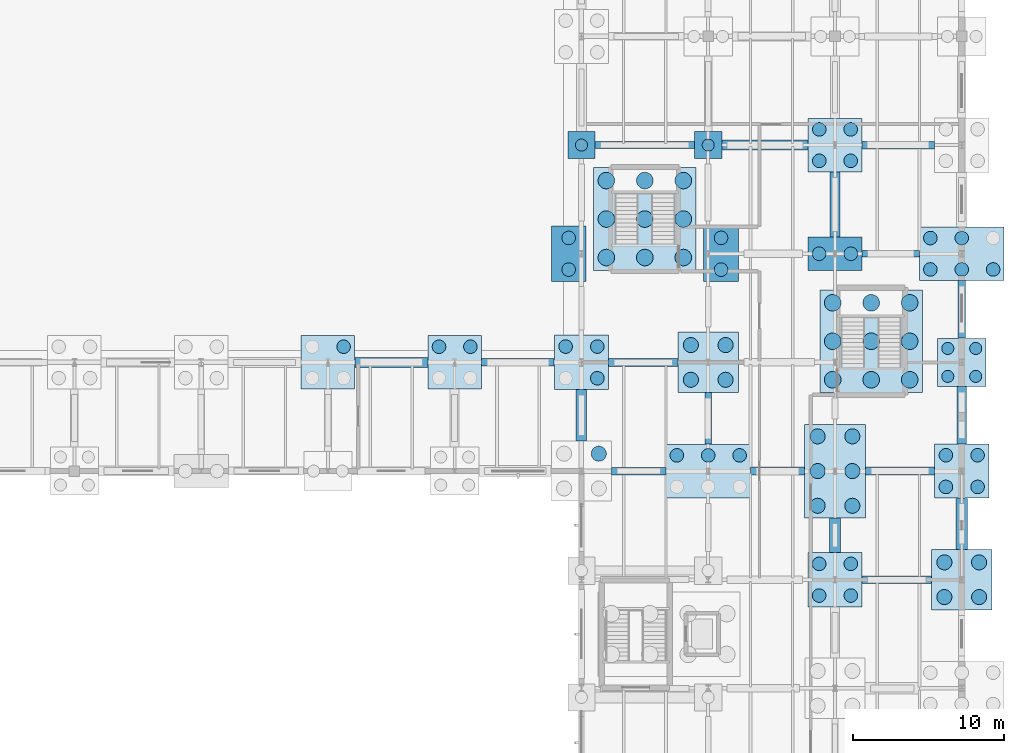
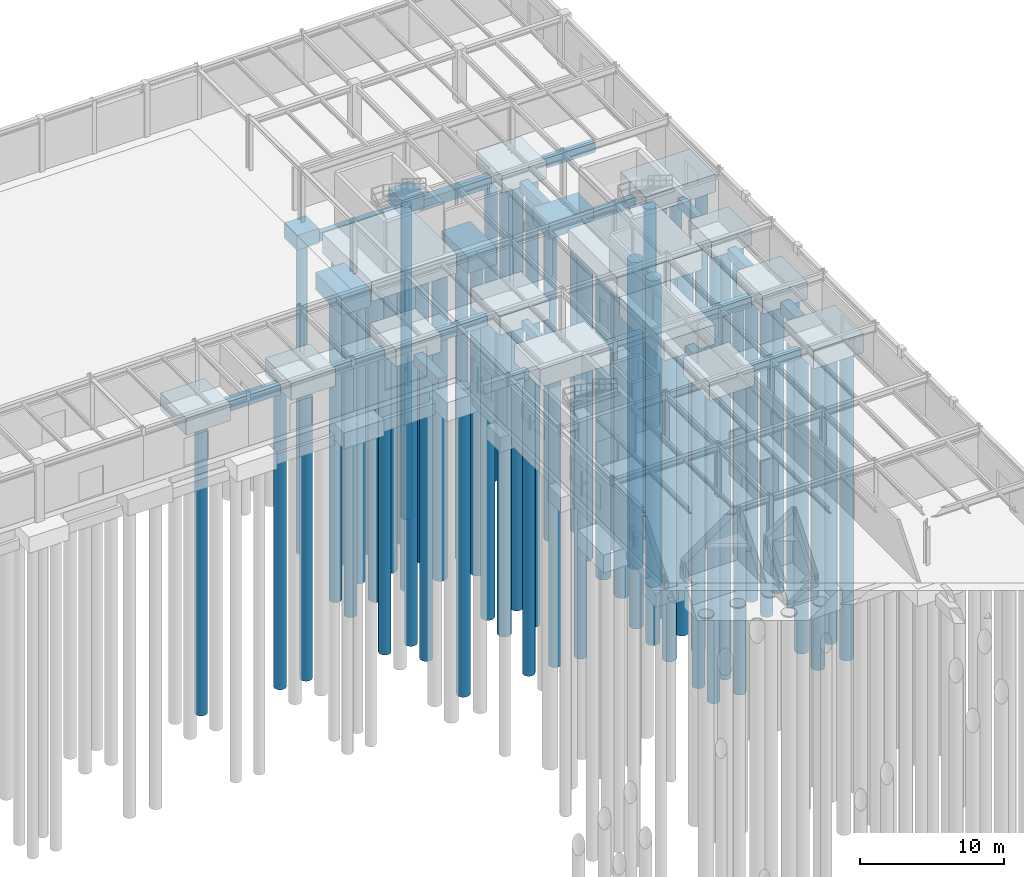
# One storey, part 8 of 93: 71 piles, 37 footings.
"""IFC4 building model written with IfcOpenShell, lengths in metres."""

from ifc_helpers import new_model, si_unit, derived_unit, direction, frame, origin, origin_2d, place, context, subcontext, project, spatial, rectangle, circle, extrude, material, material_profile, profile_set, type_object, element, save


model = new_model("IFC4")

# Units and contexts
model_context = context("Model", 3, precision=1e-05, world=origin(), true_north=direction((0.0, 1.0)))
body_context = subcontext(model_context, "Body", "Model", "MODEL_VIEW")
ifc_project = project(units=[si_unit("LENGTHUNIT", "METRE"), si_unit("AREAUNIT", "SQUARE_METRE"), si_unit("VOLUMEUNIT", "CUBIC_METRE"), si_unit("PLANEANGLEUNIT", "RADIAN"), si_unit("MASSUNIT", "GRAM", prefix="KILO"), derived_unit("THERMALTRANSMITTANCEUNIT", [(si_unit("MASSUNIT", "GRAM", prefix="KILO"), 1), (si_unit("TIMEUNIT", "SECOND"), -3), (si_unit("THERMODYNAMICTEMPERATUREUNIT", "KELVIN"), -1)])], contexts=[model_context])

# Site, building, storey
site_placement = place(None, origin())
site = spatial("IfcSite", under=ifc_project, at=site_placement, CompositionType="ELEMENT")
building_placement = place(site_placement, origin())
building = spatial("IfcBuilding", under=site, at=building_placement, Name="Kharveza Railside Sports Centre", CompositionType="ELEMENT")
storey_placement = place(building_placement, origin())
storey = spatial("IfcBuildingStorey", under=building, at=storey_placement, Name="L00", CompositionType="ELEMENT", Elevation=0.0)

# Footings
ifc_material = material(Name="Concrete C35/45", Category="concrete")
ifc_material_profile_1 = material_profile(ifc_material, rectangle(XDim=0.60009765625, YDim=0.800048828125, at=origin_2d()), Name="GB 600x800")
ifc_profile_set_1 = profile_set([ifc_material_profile_1], Name="Concrete C35/45")
footing_type_1 = type_object("IfcFootingType", Name="FT-GB01", PredefinedType="FOOTING_BEAM", material=ifc_profile_set_1)
footing_1_placement = place(storey_placement, frame((168.0, 73.802978515625, -1.800048828125), z_axis=(0.0, 1.0, 0.0), x_axis=(-1.0, 0.0, 0.0)))
element("IfcFooting", 1, at=footing_1_placement, inside=storey, type_object=footing_type_1, Name="GB-NS-151", PredefinedType="FOOTING_BEAM", context=body_context, shape_type="SweptSolid", body=[
    extrude(rectangle(XDim=0.60009765625, YDim=0.800048828125, at=origin_2d()), origin(), (0.0, 0.0, 1.0), 3.7939453125),
])
ifc_material_profile_2 = material_profile(ifc_material, rectangle(XDim=0.5, YDim=0.75, at=origin_2d()), Name="GB 500x750")
ifc_profile_set_2 = profile_set([ifc_material_profile_2], Name="Concrete C35/45")
footing_type_2 = type_object("IfcFootingType", Name="FT-GB02", PredefinedType="FOOTING_BEAM", material=ifc_profile_set_2)
footing_2_placement = place(storey_placement, frame((136.177978515625, 79.199951171875, -1.77490234375), z_axis=(1.0, 0.0, 0.0), x_axis=(0.0, 1.0, 0.0)))
element("IfcFooting", 2, at=footing_2_placement, inside=storey, type_object=footing_type_2, Name="GB-EW-092", PredefinedType="FOOTING_BEAM", context=body_context, shape_type="SweptSolid", body=[
    extrude(rectangle(XDim=0.5, YDim=0.75, at=origin_2d()), origin(), (0.0, 0.0, 1.0), 4.819091796875),
])
footing_3_placement = place(storey_placement, frame((144.802978515625, 72.0, -1.77490234375), z_axis=(1.0, 0.0, 0.0), x_axis=(0.0, 1.0, 0.0)))
element("IfcFooting", 3, at=footing_3_placement, inside=storey, type_object=footing_type_2, Name="GB-EW-102", PredefinedType="FOOTING_BEAM", context=body_context, shape_type="SweptSolid", body=[
    extrude(rectangle(XDim=0.5, YDim=0.75, at=origin_2d()), origin(), (0.0, 0.0, 1.0), 3.593994140625),
])
footing_4_placement = place(storey_placement, frame((161.403076171875, 64.800048828125, -1.77490234375), z_axis=(1.0, 0.0, 0.0), x_axis=(0.0, 1.0, 0.0)))
element("IfcFooting", 4, at=footing_4_placement, inside=storey, type_object=footing_type_2, Name="GB-EW-132", PredefinedType="FOOTING_BEAM", context=body_context, shape_type="SweptSolid", body=[
    extrude(rectangle(XDim=0.5, YDim=0.75, at=origin_2d()), origin(), (0.0, 0.0, 1.0), 4.593994140625),
])
footing_5_placement = place(storey_placement, frame((168.0, 80.802978515625, -1.77490234375), z_axis=(0.0, 1.0, 0.0), x_axis=(-1.0, 0.0, 0.0)))
element("IfcFooting", 5, at=footing_5_placement, inside=storey, type_object=footing_type_2, Name="GB-NS-152", PredefinedType="FOOTING_BEAM", context=body_context, shape_type="SweptSolid", body=[
    extrude(rectangle(XDim=0.5, YDim=0.75, at=origin_2d()), origin(), (0.0, 0.0, 1.0), 3.819091796875),
])
ifc_material_profile_3 = material_profile(ifc_material, rectangle(XDim=0.699951171875, YDim=0.89990234375, at=origin_2d()), Name="GB 700x900")
ifc_profile_set_3 = profile_set([ifc_material_profile_3], Name="Concrete C35/45")
footing_type_3 = type_object("IfcFootingType", Name="FT-GB03", PredefinedType="FOOTING_BEAM", material=ifc_profile_set_3)
footing_6_placement = place(storey_placement, frame((142.800048828125, 74.0029296875, -1.85009765625), z_axis=(0.0, 1.0, 0.0), x_axis=(-1.0, 0.0, 0.0)))
element("IfcFooting", 6, at=footing_6_placement, inside=storey, type_object=footing_type_3, Name="GB-NS-103", PredefinedType="FOOTING_BEAM", context=body_context, shape_type="SweptSolid", body=[
    extrude(rectangle(XDim=0.699951171875, YDim=0.89990234375, at=origin_2d()), origin(), (0.0, 0.0, 1.0), 3.39404296875),
])
footing_7_placement = place(storey_placement, frame((159.60009765625, 66.60302734375, -1.85009765625), z_axis=(0.0, 1.0, 0.0), x_axis=(-1.0, 0.0, 0.0)))
element("IfcFooting", 7, at=footing_7_placement, inside=storey, type_object=footing_type_3, Name="GB-NS-133", PredefinedType="FOOTING_BEAM", context=body_context, shape_type="SweptSolid", body=[
    extrude(rectangle(XDim=0.699951171875, YDim=0.89990234375, at=origin_2d()), origin(), (0.0, 0.0, 1.0), 2.2939453125),
])
ifc_material_profile_4 = material_profile(ifc_material, rectangle(XDim=0.550048828125, YDim=0.85009765625, at=origin_2d()), Name="GB 550x850")
ifc_profile_set_4 = profile_set([ifc_material_profile_4], Name="Concrete C35/45")
footing_type_4 = type_object("IfcFootingType", Name="FT-GB04", PredefinedType="FOOTING_BEAM", material=ifc_profile_set_4)
footing_8_placement = place(storey_placement, frame((144.60302734375, 79.199951171875, -1.824951171875), z_axis=(1.0, 0.0, 0.0), x_axis=(0.0, 1.0, 0.0)))
element("IfcFooting", 8, at=footing_8_placement, inside=storey, type_object=footing_type_4, Name="GB-EW-104", PredefinedType="FOOTING_BEAM", context=body_context, shape_type="SweptSolid", body=[
    extrude(rectangle(XDim=0.550048828125, YDim=0.85009765625, at=origin_2d()), origin(), (0.0, 0.0, 1.0), 4.593994140625),
])
footing_9_placement = place(storey_placement, frame((154.0029296875, 72.0, -1.824951171875), z_axis=(1.0, 0.0, 0.0), x_axis=(0.0, 1.0, 0.0)))
element("IfcFooting", 9, at=footing_9_placement, inside=storey, type_object=footing_type_4, Name="GB-EW-114", PredefinedType="FOOTING_BEAM", context=body_context, shape_type="SweptSolid", body=[
    extrude(rectangle(XDim=0.550048828125, YDim=0.85009765625, at=origin_2d()), origin(), (0.0, 0.0, 1.0), 3.569091796875),
])
footing_10_placement = place(storey_placement, frame((161.6279296875, 72.0, -1.824951171875), z_axis=(1.0, 0.0, 0.0), x_axis=(0.0, 1.0, 0.0)))
element("IfcFooting", 10, at=footing_10_placement, inside=storey, type_object=footing_type_4, Name="GB-EW-134", PredefinedType="FOOTING_BEAM", context=body_context, shape_type="SweptSolid", body=[
    extrude(rectangle(XDim=0.550048828125, YDim=0.85009765625, at=origin_2d()), origin(), (0.0, 0.0, 1.0), 4.569091796875),
])
ifc_material_profile_5 = material_profile(ifc_material, rectangle(XDim=0.449951171875, YDim=0.699951171875, at=origin_2d()), Name="GB 450x700")
ifc_profile_set_5 = profile_set([ifc_material_profile_5], Name="Concrete C35/45")
footing_type_5 = type_object("IfcFootingType", Name="FT-GB05", PredefinedType="FOOTING_BEAM", material=ifc_profile_set_5)
footing_11_placement = place(storey_placement, frame((143.702880859375, 93.60009765625, -1.75), z_axis=(1.0, 0.0, 0.0), x_axis=(0.0, 1.0, 0.0)))
element("IfcFooting", 11, at=footing_11_placement, inside=storey, type_object=footing_type_5, Name="GB-EW-105", PredefinedType="FOOTING_BEAM", context=body_context, shape_type="SweptSolid", body=[
    extrude(rectangle(XDim=0.449951171875, YDim=0.699951171875, at=origin_2d()), origin(), (0.0, 0.0, 1.0), 6.59423828125),
])
footing_12_placement = place(storey_placement, frame((151.199951171875, 73.778076171875, -1.75), z_axis=(0.0, 1.0, 0.0), x_axis=(-1.0, 0.0, 0.0)))
element("IfcFooting", 12, at=footing_12_placement, inside=storey, type_object=footing_type_5, Name="GB-NS-115", PredefinedType="FOOTING_BEAM", context=body_context, shape_type="SweptSolid", body=[
    extrude(rectangle(XDim=0.449951171875, YDim=0.699951171875, at=origin_2d()), origin(), (0.0, 0.0, 1.0), 3.4189453125),
])
footing_13_placement = place(storey_placement, frame((161.403076171875, 86.39990234375, -1.75), z_axis=(1.0, 0.0, 0.0), x_axis=(0.0, 1.0, 0.0)))
element("IfcFooting", 13, at=footing_13_placement, inside=storey, type_object=footing_type_5, Name="GB-EW-135", PredefinedType="FOOTING_BEAM", context=body_context, shape_type="SweptSolid", body=[
    extrude(rectangle(XDim=0.449951171875, YDim=0.699951171875, at=origin_2d()), origin(), (0.0, 0.0, 1.0), 3.7939453125),
])
ifc_material_profile_6 = material_profile(ifc_material, rectangle(XDim=0.64990234375, YDim=0.85009765625, at=origin_2d()), Name="GB 650x850")
ifc_profile_set_6 = profile_set([ifc_material_profile_6], Name="Concrete C35/45")
footing_type_6 = type_object("IfcFootingType", Name="FT-GB06", PredefinedType="FOOTING_BEAM", material=ifc_profile_set_6)
footing_14_placement = place(storey_placement, frame((127.778076171875, 79.199951171875, -1.824951171875), z_axis=(1.0, 0.0, 0.0), x_axis=(0.0, 1.0, 0.0)))
element("IfcFooting", 14, at=footing_14_placement, inside=storey, type_object=footing_type_6, Name="GB-EW-086", PredefinedType="FOOTING_BEAM", context=body_context, shape_type="SweptSolid", body=[
    extrude(rectangle(XDim=0.64990234375, YDim=0.85009765625, at=origin_2d()), origin(), (0.0, 0.0, 1.0), 4.843994140625),
])
footing_15_placement = place(storey_placement, frame((152.10302734375, 93.60009765625, -1.824951171875), z_axis=(1.0, 0.0, 0.0), x_axis=(0.0, 1.0, 0.0)))
element("IfcFooting", 15, at=footing_15_placement, inside=storey, type_object=footing_type_6, Name="GB-EW-116", PredefinedType="FOOTING_BEAM", context=body_context, shape_type="SweptSolid", body=[
    extrude(rectangle(XDim=0.64990234375, YDim=0.85009765625, at=origin_2d()), origin(), (0.0, 0.0, 1.0), 5.718994140625),
])
footing_16_placement = place(storey_placement, frame((159.60009765625, 87.5029296875, -1.824951171875), z_axis=(0.0, 1.0, 0.0), x_axis=(-1.0, 0.0, 0.0)))
element("IfcFooting", 16, at=footing_16_placement, inside=storey, type_object=footing_type_6, Name="GB-NS-136", PredefinedType="FOOTING_BEAM", context=body_context, shape_type="SweptSolid", body=[
    extrude(rectangle(XDim=0.64990234375, YDim=0.85009765625, at=origin_2d()), origin(), (0.0, 0.0, 1.0), 4.319091796875),
])
ifc_material_profile_7 = material_profile(ifc_material, rectangle(XDim=0.5, YDim=0.85009765625, at=origin_2d()), Name="GB 500x850")
ifc_profile_set_7 = profile_set([ifc_material_profile_7], Name="Concrete C35/45")
footing_type_7 = type_object("IfcFootingType", Name="FT-GB07", PredefinedType="FOOTING_BEAM", material=ifc_profile_set_7)
footing_17_placement = place(storey_placement, frame((161.3779296875, 93.60009765625, -1.824951171875), z_axis=(1.0, 0.0, 0.0), x_axis=(0.0, 1.0, 0.0)))
element("IfcFooting", 17, at=footing_17_placement, inside=storey, type_object=footing_type_7, Name="GB-EW-137", PredefinedType="FOOTING_BEAM", context=body_context, shape_type="SweptSolid", body=[
    extrude(rectangle(XDim=0.5, YDim=0.85009765625, at=origin_2d()), origin(), (0.0, 0.0, 1.0), 4.819091796875),
])
ifc_material_profile_8 = material_profile(ifc_material, rectangle(XDim=0.75, YDim=1.0, at=origin_2d()), Name="GB 750x1000")
ifc_profile_set_8 = profile_set([ifc_material_profile_8], Name="Concrete C35/45")
footing_type_8 = type_object("IfcFootingType", Name="FT-GB10", PredefinedType="FOOTING_BEAM", material=ifc_profile_set_8)
footing_18_placement = place(storey_placement, frame((168.0, 66.802978515625, -1.89990234375), z_axis=(0.0, 1.0, 0.0), x_axis=(-1.0, 0.0, 0.0)))
element("IfcFooting", 18, at=footing_18_placement, inside=storey, type_object=footing_type_8, Name="GB-NS-150", PredefinedType="FOOTING_BEAM", context=body_context, shape_type="SweptSolid", body=[
    extrude(rectangle(XDim=0.75, YDim=1.0, at=origin_2d()), origin(), (0.0, 0.0, 1.0), 3.39404296875),
])
footing_type_9 = type_object("IfcFootingType", Name="FT-PC02", PredefinedType="PILE_CAP", material=ifc_material)
footing_19_placement = place(storey_placement, frame((159.60009765625, 86.39990234375, -1.820068359375), z_axis=(0.0, 0.0, 1.0), x_axis=(1.0, 0.0, 0.0)))
element("IfcFooting", 19, at=footing_19_placement, inside=storey, type_object=footing_type_9, Name="FCAP-GRD-128", PredefinedType="PILE_CAP", context=body_context, shape_type="SweptSolid", body=[
    extrude(rectangle(XDim=3.60009765625, YDim=2.199951171875, at=origin_2d()), origin(), (0.0, 0.0, 1.0), 1.39990234375),
])
footing_type_10 = type_object("IfcFootingType", Name="FT-PC03", PredefinedType="PILE_CAP", material=ifc_material)
for number, where, z_axis, x_axis, name in (
    (20, (141.949951171875, 86.39990234375, -1.8701171875), (0.0, 0.0, 1.0), (1.0, 0.0, 0.0), "FCAP-GRD-098"),
    (21, (152.050048828125, 86.39990234375, -1.8701171875), (0.0, 0.0, 1.0), (1.0, 0.0, 0.0), "FCAP-GRD-113"),
):
    element("IfcFooting", number, at=place(storey_placement, frame(where, z_axis=z_axis, x_axis=x_axis)), inside=storey, type_object=footing_type_10, Name=name, PredefinedType="PILE_CAP", context=body_context, shape_type="SweptSolid", body=[
        extrude(rectangle(XDim=2.300048828125, YDim=3.64990234375, at=origin_2d()), origin(), (0.0, 0.0, 1.0), 1.449951171875),
    ])
footing_type_11 = type_object("IfcFootingType", Name="FT-PC04", PredefinedType="PILE_CAP", material=ifc_material)
for number, where, z_axis, x_axis, name in (
    (22, (142.800048828125, 79.199951171875, -1.919921875), (0.0, 0.0, 1.0), (1.0, 0.0, 0.0), "FCAP-GRD-097"),
    (23, (159.60009765625, 64.800048828125, -1.919921875), (0.0, 0.0, 1.0), (1.0, 0.0, 0.0), "FCAP-GRD-125"),
    (24, (168.0, 72.0, -1.919921875), (0.0, 0.0, 1.0), (1.0, 0.0, 0.0), "FCAP-GRD-141"),
):
    element("IfcFooting", number, at=place(storey_placement, frame(where, z_axis=z_axis, x_axis=x_axis)), inside=storey, type_object=footing_type_11, Name=name, PredefinedType="PILE_CAP", context=body_context, shape_type="SweptSolid", body=[
        extrude(rectangle(XDim=3.60009765625, YDim=3.60009765625, at=origin_2d()), origin(), (0.0, 0.0, 1.0), 1.5),
    ])
footing_type_12 = type_object("IfcFootingType", Name="FT-PC05", PredefinedType="PILE_CAP", material=ifc_material)
for number, where, z_axis, x_axis, name in (
    (25, (151.199951171875, 79.199951171875, -2.02001953125), (0.0, 0.0, 1.0), (1.0, 0.0, 0.0), "FCAP-GRD-112"),
    (26, (168.0, 64.800048828125, -2.02001953125), (0.0, 0.0, 1.0), (1.0, 0.0, 0.0), "FCAP-GRD-140"),
):
    element("IfcFooting", number, at=place(storey_placement, frame(where, z_axis=z_axis, x_axis=x_axis)), inside=storey, type_object=footing_type_12, Name=name, PredefinedType="PILE_CAP", context=body_context, shape_type="SweptSolid", body=[
        extrude(rectangle(XDim=4.0, YDim=4.0, at=origin_2d()), origin(), (0.0, 0.0, 1.0), 1.60009765625),
    ])
footing_type_13 = type_object("IfcFootingType", Name="FT-PC07", PredefinedType="PILE_CAP", material=ifc_material)
footing_20_placement = place(storey_placement, frame((159.60009765625, 72.0, -2.070068359375), z_axis=(0.0, 0.0, 1.0), x_axis=(1.0, 0.0, 0.0)))
element("IfcFooting", 27, at=footing_20_placement, inside=storey, type_object=footing_type_13, Name="FCAP-GRD-126", PredefinedType="PILE_CAP", context=body_context, shape_type="SweptSolid", body=[
    extrude(rectangle(XDim=4.050048828125, YDim=6.199951171875, at=origin_2d()), origin(), (0.0, 0.0, 1.0), 1.64990234375),
])
footing_type_14 = type_object("IfcFootingType", Name="FT-PC08", PredefinedType="PILE_CAP", material=ifc_material)
for number, where, z_axis, x_axis, name in (
    (28, (162.0, 80.60009765625, -2.1201171875), (0.0, 0.0, 1.0), (1.0, 0.0, 0.0), "FCAP-CORE-04"),
    (29, (147.0, 88.699951171875, -2.1201171875), (0.0, 0.0, 1.0), (1.0, 0.0, 0.0), "FCAP-CORE-13"),
):
    element("IfcFooting", number, at=place(storey_placement, frame(where, z_axis=z_axis, x_axis=x_axis)), inside=storey, type_object=footing_type_14, Name=name, PredefinedType="PILE_CAP", context=body_context, shape_type="SweptSolid", body=[
        extrude(rectangle(XDim=6.800048828125, YDim=6.800048828125, at=origin_2d()), origin(), (0.0, 0.0, 1.0), 1.699951171875),
    ])
footing_type_15 = type_object("IfcFootingType", Name="FT-PC10", PredefinedType="PILE_CAP", material=ifc_material)
footing_21_placement = place(storey_placement, frame((168.0, 79.199951171875, -1.77001953125), z_axis=(0.0, 0.0, 1.0), x_axis=(1.0, 0.0, 0.0)))
element("IfcFooting", 30, at=footing_21_placement, inside=storey, type_object=footing_type_15, Name="FCAP-GRD-142", PredefinedType="PILE_CAP", context=body_context, shape_type="SweptSolid", body=[
    extrude(rectangle(XDim=3.199951171875, YDim=3.199951171875, at=origin_2d()), origin(), (0.0, 0.0, 1.0), 1.35009765625),
])
footing_type_16 = type_object("IfcFootingType", Name="FT-PC11", PredefinedType="PILE_CAP", material=ifc_material)
for number, where, z_axis, x_axis, name in (
    (31, (126.0, 79.199951171875, -1.8701171875), (0.0, 0.0, 1.0), (1.0, 0.0, 0.0), "FCAP-GRD-077"),
    (32, (134.39990234375, 79.199951171875, -1.8701171875), (0.0, 0.0, 1.0), (1.0, 0.0, 0.0), "FCAP-GRD-085"),
    (33, (159.60009765625, 93.60009765625, -1.8701171875), (0.0, 0.0, 1.0), (1.0, 0.0, 0.0), "FCAP-GRD-129"),
):
    element("IfcFooting", number, at=place(storey_placement, frame(where, z_axis=z_axis, x_axis=x_axis)), inside=storey, type_object=footing_type_16, Name=name, PredefinedType="PILE_CAP", context=body_context, shape_type="SweptSolid", body=[
        extrude(rectangle(XDim=3.550048828125, YDim=3.550048828125, at=origin_2d()), origin(), (0.0, 0.0, 1.0), 1.449951171875),
    ])
footing_type_17 = type_object("IfcFootingType", Name="FT-PC12", PredefinedType="PILE_CAP", material=ifc_material)
for number, where, z_axis, x_axis, name in (
    (34, (151.199951171875, 72.0, -1.919921875), (0.0, 0.0, 1.0), (1.0, 0.0, 0.0), "FCAP-GRD-111"),
    (35, (168.0, 86.39990234375, -1.919921875), (0.0, 0.0, 1.0), (1.0, 0.0, 0.0), "FCAP-GRD-143"),
):
    element("IfcFooting", number, at=place(storey_placement, frame(where, z_axis=z_axis, x_axis=x_axis)), inside=storey, type_object=footing_type_17, Name=name, PredefinedType="PILE_CAP", context=body_context, shape_type="SweptSolid", body=[
        extrude(rectangle(XDim=5.60009765625, YDim=3.550048828125, at=origin_2d()), origin(), (0.0, 0.0, 1.0), 1.5),
    ])
footing_type_18 = type_object("IfcFootingType", Name="FT-PC13", PredefinedType="PILE_CAP", material=ifc_material)
for number, where, z_axis, x_axis, name in (
    (36, (142.800048828125, 93.60009765625, -1.669921875), (0.0, 0.0, 1.0), (1.0, 0.0, 0.0), "FCAP-GRD-099"),
    (37, (151.199951171875, 93.60009765625, -1.669921875), (0.0, 0.0, 1.0), (1.0, 0.0, 0.0), "FCAP-GRD-114"),
):
    element("IfcFooting", number, at=place(storey_placement, frame(where, z_axis=z_axis, x_axis=x_axis)), inside=storey, type_object=footing_type_18, Name=name, PredefinedType="PILE_CAP", context=body_context, shape_type="SweptSolid", body=[
        extrude(rectangle(XDim=1.800048828125, YDim=1.800048828125, at=origin_2d()), origin(), (0.0, 0.0, 1.0), 1.25),
    ])

# Piles
ifc_material_profile_9 = material_profile(ifc_material, circle(Radius=0.5, at=origin_2d()), Name="PILE D1000")
ifc_profile_set_9 = profile_set([ifc_material_profile_9], Name="Concrete C35/45")
pile_type_1 = type_object("IfcPileType", Name="PL-B1000", PredefinedType="BORED", material=ifc_profile_set_9)
for number, where, z_axis, x_axis, name in (
    (38, (143.949951171875, 73.14990234375, -1.919921875), (0.0, 0.0, -1.0), (1.0, 0.0, 0.0), "FCAP-GRD-096-P02-PL4"),
    (39, (150.050048828125, 78.050048828125, -1.919921875), (0.0, 0.0, -1.0), (1.0, 0.0, 0.0), "FCAP-GRD-112-P02-PL1"),
    (40, (152.35009765625, 78.050048828125, -1.919921875), (0.0, 0.0, -1.0), (1.0, 0.0, 0.0), "FCAP-GRD-112-P02-PL2"),
    (41, (150.050048828125, 80.35009765625, -1.919921875), (0.0, 0.0, -1.0), (1.0, 0.0, 0.0), "FCAP-GRD-112-P02-PL3"),
    (42, (152.35009765625, 80.35009765625, -1.919921875), (0.0, 0.0, -1.0), (1.0, 0.0, 0.0), "FCAP-GRD-112-P02-PL4"),
):
    element("IfcPile", number, at=place(storey_placement, frame(where, z_axis=z_axis, x_axis=x_axis)), inside=storey, type_object=pile_type_1, Name=name, PredefinedType="BORED", context=body_context, shape_type="SweptSolid", body=[
        extrude(circle(Radius=0.5, at=origin_2d()), origin(), (0.0, 0.0, 1.0), 26.080078125),
    ])
for number, where, z_axis, x_axis, name in (
    (43, (158.449951171875, 69.699951171875, -1.969970703125), (0.0, 0.0, -1.0), (1.0, 0.0, 0.0), "FCAP-GRD-126-P02-PL1"),
    (44, (160.75, 69.699951171875, -1.969970703125), (0.0, 0.0, -1.0), (1.0, 0.0, 0.0), "FCAP-GRD-126-P02-PL2"),
    (45, (158.449951171875, 72.0, -1.969970703125), (0.0, 0.0, -1.0), (1.0, 0.0, 0.0), "FCAP-GRD-126-P02-PL3"),
    (46, (160.75, 72.0, -1.969970703125), (0.0, 0.0, -1.0), (1.0, 0.0, 0.0), "FCAP-GRD-126-P02-PL4"),
    (47, (158.449951171875, 74.300048828125, -1.969970703125), (0.0, 0.0, -1.0), (1.0, 0.0, 0.0), "FCAP-GRD-126-P02-PL5"),
    (48, (160.75, 74.300048828125, -1.969970703125), (0.0, 0.0, -1.0), (1.0, 0.0, 0.0), "FCAP-GRD-126-P02-PL6"),
):
    element("IfcPile", number, at=place(storey_placement, frame(where, z_axis=z_axis, x_axis=x_axis)), inside=storey, type_object=pile_type_1, Name=name, PredefinedType="BORED", context=body_context, shape_type="SweptSolid", body=[
        extrude(circle(Radius=0.5, at=origin_2d()), origin(), (0.0, 0.0, 1.0), 26.030029296875),
    ])
for number, where, z_axis, x_axis, name in (
    (49, (166.85009765625, 63.64990234375, -1.919921875), (0.0, 0.0, -1.0), (1.0, 0.0, 0.0), "FCAP-GRD-140-P02-PL1"),
    (50, (169.14990234375, 63.64990234375, -1.919921875), (0.0, 0.0, -1.0), (1.0, 0.0, 0.0), "FCAP-GRD-140-P02-PL2"),
    (51, (166.85009765625, 65.949951171875, -1.919921875), (0.0, 0.0, -1.0), (1.0, 0.0, 0.0), "FCAP-GRD-140-P02-PL3"),
    (52, (169.14990234375, 65.949951171875, -1.919921875), (0.0, 0.0, -1.0), (1.0, 0.0, 0.0), "FCAP-GRD-140-P02-PL4"),
):
    element("IfcPile", number, at=place(storey_placement, frame(where, z_axis=z_axis, x_axis=x_axis)), inside=storey, type_object=pile_type_1, Name=name, PredefinedType="BORED", context=body_context, shape_type="SweptSolid", body=[
        extrude(circle(Radius=0.5, at=origin_2d()), origin(), (0.0, 0.0, 1.0), 26.080078125),
    ])
ifc_material_profile_10 = material_profile(ifc_material, circle(Radius=0.550048828125, at=origin_2d()), Name="PILE D1100")
ifc_profile_set_10 = profile_set([ifc_material_profile_10], Name="Concrete C35/45")
pile_type_2 = type_object("IfcPileType", Name="PL-B1100", PredefinedType="BORED", material=ifc_profile_set_10)
for number, where, z_axis, x_axis, name in (
    (53, (159.449951171875, 78.050048828125, -2.02001953125), (0.0, 0.0, -1.0), (1.0, 0.0, 0.0), "FCAP-CORE-04-P03-PL1"),
    (54, (162.0, 78.050048828125, -2.02001953125), (0.0, 0.0, -1.0), (1.0, 0.0, 0.0), "FCAP-CORE-04-P03-PL2"),
    (55, (164.550048828125, 78.050048828125, -2.02001953125), (0.0, 0.0, -1.0), (1.0, 0.0, 0.0), "FCAP-CORE-04-P03-PL3"),
    (56, (159.449951171875, 80.60009765625, -2.02001953125), (0.0, 0.0, -1.0), (1.0, 0.0, 0.0), "FCAP-CORE-04-P03-PL4"),
    (57, (162.0, 80.60009765625, -2.02001953125), (0.0, 0.0, -1.0), (1.0, 0.0, 0.0), "FCAP-CORE-04-P03-PL5"),
    (58, (164.550048828125, 80.60009765625, -2.02001953125), (0.0, 0.0, -1.0), (1.0, 0.0, 0.0), "FCAP-CORE-04-P03-PL6"),
    (59, (159.449951171875, 83.14990234375, -2.02001953125), (0.0, 0.0, -1.0), (1.0, 0.0, 0.0), "FCAP-CORE-04-P03-PL7"),
    (60, (162.0, 83.14990234375, -2.02001953125), (0.0, 0.0, -1.0), (1.0, 0.0, 0.0), "FCAP-CORE-04-P03-PL8"),
    (61, (164.550048828125, 83.14990234375, -2.02001953125), (0.0, 0.0, -1.0), (1.0, 0.0, 0.0), "FCAP-CORE-04-P03-PL9"),
    (62, (144.449951171875, 86.14990234375, -2.02001953125), (0.0, 0.0, -1.0), (1.0, 0.0, 0.0), "FCAP-CORE-13-P03-PL1"),
    (63, (147.0, 86.14990234375, -2.02001953125), (0.0, 0.0, -1.0), (1.0, 0.0, 0.0), "FCAP-CORE-13-P03-PL2"),
    (64, (149.550048828125, 86.14990234375, -2.02001953125), (0.0, 0.0, -1.0), (1.0, 0.0, 0.0), "FCAP-CORE-13-P03-PL3"),
    (65, (144.449951171875, 88.699951171875, -2.02001953125), (0.0, 0.0, -1.0), (1.0, 0.0, 0.0), "FCAP-CORE-13-P03-PL4"),
    (66, (147.0, 88.699951171875, -2.02001953125), (0.0, 0.0, -1.0), (1.0, 0.0, 0.0), "FCAP-CORE-13-P03-PL5"),
    (67, (149.550048828125, 88.699951171875, -2.02001953125), (0.0, 0.0, -1.0), (1.0, 0.0, 0.0), "FCAP-CORE-13-P03-PL6"),
    (68, (144.449951171875, 91.25, -2.02001953125), (0.0, 0.0, -1.0), (1.0, 0.0, 0.0), "FCAP-CORE-13-P03-PL7"),
    (69, (147.0, 91.25, -2.02001953125), (0.0, 0.0, -1.0), (1.0, 0.0, 0.0), "FCAP-CORE-13-P03-PL8"),
    (70, (149.550048828125, 91.25, -2.02001953125), (0.0, 0.0, -1.0), (1.0, 0.0, 0.0), "FCAP-CORE-13-P03-PL9"),
):
    element("IfcPile", number, at=place(storey_placement, frame(where, z_axis=z_axis, x_axis=x_axis)), inside=storey, type_object=pile_type_2, Name=name, PredefinedType="BORED", context=body_context, shape_type="SweptSolid", body=[
        extrude(circle(Radius=0.550048828125, at=origin_2d()), origin(), (0.0, 0.0, 1.0), 25.97998046875),
    ])
ifc_material_profile_11 = material_profile(ifc_material, circle(Radius=0.39990234375, at=origin_2d()), Name="PILE D800")
ifc_profile_set_11 = profile_set([ifc_material_profile_11], Name="Concrete C35/45")
pile_type_3 = type_object("IfcPileType", Name="PL-B800", PredefinedType="BORED", material=ifc_profile_set_11)
for number, where, z_axis, x_axis, name in (
    (71, (142.800048828125, 93.60009765625, -1.570068359375), (0.0, 0.0, -1.0), (1.0, 0.0, 0.0), "FCAP-GRD-099-P04-PL1"),
    (72, (151.199951171875, 93.60009765625, -1.570068359375), (0.0, 0.0, -1.0), (1.0, 0.0, 0.0), "FCAP-GRD-114-P04-PL1"),
):
    element("IfcPile", number, at=place(storey_placement, frame(where, z_axis=z_axis, x_axis=x_axis)), inside=storey, type_object=pile_type_3, Name=name, PredefinedType="BORED", context=body_context, shape_type="SweptSolid", body=[
        extrude(circle(Radius=0.39990234375, at=origin_2d()), origin(), (0.0, 0.0, 1.0), 26.429931640625),
    ])
for number, where, z_axis, x_axis, name in (
    (73, (167.074951171875, 78.27490234375, -1.669921875), (0.0, 0.0, -1.0), (1.0, 0.0, 0.0), "FCAP-GRD-142-P04-PL1"),
    (74, (168.925048828125, 78.27490234375, -1.669921875), (0.0, 0.0, -1.0), (1.0, 0.0, 0.0), "FCAP-GRD-142-P04-PL2"),
    (75, (167.074951171875, 80.125, -1.669921875), (0.0, 0.0, -1.0), (1.0, 0.0, 0.0), "FCAP-GRD-142-P04-PL3"),
    (76, (168.925048828125, 80.125, -1.669921875), (0.0, 0.0, -1.0), (1.0, 0.0, 0.0), "FCAP-GRD-142-P04-PL4"),
):
    element("IfcPile", number, at=place(storey_placement, frame(where, z_axis=z_axis, x_axis=x_axis)), inside=storey, type_object=pile_type_3, Name=name, PredefinedType="BORED", context=body_context, shape_type="SweptSolid", body=[
        extrude(circle(Radius=0.39990234375, at=origin_2d()), origin(), (0.0, 0.0, 1.0), 26.330078125),
    ])
ifc_material_profile_12 = material_profile(ifc_material, circle(Radius=0.449951171875, at=origin_2d()), Name="PILE D900")
ifc_profile_set_12 = profile_set([ifc_material_profile_12], Name="Concrete C35/45")
pile_type_4 = type_object("IfcPileType", Name="PL-B900", PredefinedType="BORED", material=ifc_profile_set_12)
for number, where, z_axis, x_axis, name in (
    (77, (127.0400390625, 80.239990234375, -1.77001953125), (0.0, 0.0, -1.0), (1.0, 0.0, 0.0), "FCAP-GRD-077-P01-PL4"),
    (78, (133.360107421875, 80.239990234375, -1.77001953125), (0.0, 0.0, -1.0), (1.0, 0.0, 0.0), "FCAP-GRD-085-P01-PL3"),
    (79, (135.43994140625, 80.239990234375, -1.77001953125), (0.0, 0.0, -1.0), (1.0, 0.0, 0.0), "FCAP-GRD-085-P01-PL4"),
):
    element("IfcPile", number, at=place(storey_placement, frame(where, z_axis=z_axis, x_axis=x_axis)), inside=storey, type_object=pile_type_4, Name=name, PredefinedType="BORED", context=body_context, shape_type="SweptSolid", body=[
        extrude(circle(Radius=0.449951171875, at=origin_2d()), origin(), (0.0, 0.0, 1.0), 26.22998046875),
    ])
for number, where, z_axis, x_axis, name in (
    (80, (143.85009765625, 78.14990234375, -1.820068359375), (0.0, 0.0, -1.0), (1.0, 0.0, 0.0), "FCAP-GRD-097-P01-PL2"),
    (81, (141.75, 80.25, -1.820068359375), (0.0, 0.0, -1.0), (1.0, 0.0, 0.0), "FCAP-GRD-097-P01-PL3"),
    (82, (143.85009765625, 80.25, -1.820068359375), (0.0, 0.0, -1.0), (1.0, 0.0, 0.0), "FCAP-GRD-097-P01-PL4"),
):
    element("IfcPile", number, at=place(storey_placement, frame(where, z_axis=z_axis, x_axis=x_axis)), inside=storey, type_object=pile_type_4, Name=name, PredefinedType="BORED", context=body_context, shape_type="SweptSolid", body=[
        extrude(circle(Radius=0.449951171875, at=origin_2d()), origin(), (0.0, 0.0, 1.0), 26.179931640625),
    ])
for number, where, z_axis, x_axis, name in (
    (83, (141.949951171875, 85.35009765625, -1.77001953125), (0.0, 0.0, -1.0), (1.0, 0.0, 0.0), "FCAP-GRD-098-P01-PL1"),
    (84, (141.949951171875, 87.449951171875, -1.77001953125), (0.0, 0.0, -1.0), (1.0, 0.0, 0.0), "FCAP-GRD-098-P01-PL2"),
):
    element("IfcPile", number, at=place(storey_placement, frame(where, z_axis=z_axis, x_axis=x_axis)), inside=storey, type_object=pile_type_4, Name=name, PredefinedType="BORED", context=body_context, shape_type="SweptSolid", body=[
        extrude(circle(Radius=0.449951171875, at=origin_2d()), origin(), (0.0, 0.0, 1.0), 26.22998046875),
    ])
for number, where, z_axis, x_axis, name in (
    (85, (149.1201171875, 73.0400390625, -1.820068359375), (0.0, 0.0, -1.0), (1.0, 0.0, 0.0), "FCAP-GRD-111-P01-PL4"),
    (86, (151.199951171875, 73.0400390625, -1.820068359375), (0.0, 0.0, -1.0), (1.0, 0.0, 0.0), "FCAP-GRD-111-P01-PL5"),
    (87, (153.280029296875, 73.0400390625, -1.820068359375), (0.0, 0.0, -1.0), (1.0, 0.0, 0.0), "FCAP-GRD-111-P01-PL6"),
):
    element("IfcPile", number, at=place(storey_placement, frame(where, z_axis=z_axis, x_axis=x_axis)), inside=storey, type_object=pile_type_4, Name=name, PredefinedType="BORED", context=body_context, shape_type="SweptSolid", body=[
        extrude(circle(Radius=0.449951171875, at=origin_2d()), origin(), (0.0, 0.0, 1.0), 26.179931640625),
    ])
for number, where, z_axis, x_axis, name in (
    (88, (152.050048828125, 85.35009765625, -1.77001953125), (0.0, 0.0, -1.0), (1.0, 0.0, 0.0), "FCAP-GRD-113-P01-PL1"),
    (89, (152.050048828125, 87.449951171875, -1.77001953125), (0.0, 0.0, -1.0), (1.0, 0.0, 0.0), "FCAP-GRD-113-P01-PL2"),
):
    element("IfcPile", number, at=place(storey_placement, frame(where, z_axis=z_axis, x_axis=x_axis)), inside=storey, type_object=pile_type_4, Name=name, PredefinedType="BORED", context=body_context, shape_type="SweptSolid", body=[
        extrude(circle(Radius=0.449951171875, at=origin_2d()), origin(), (0.0, 0.0, 1.0), 26.22998046875),
    ])
for number, where, z_axis, x_axis, name in (
    (90, (158.550048828125, 63.75, -1.820068359375), (0.0, 0.0, -1.0), (1.0, 0.0, 0.0), "FCAP-GRD-125-P01-PL1"),
    (91, (160.64990234375, 63.75, -1.820068359375), (0.0, 0.0, -1.0), (1.0, 0.0, 0.0), "FCAP-GRD-125-P01-PL2"),
    (92, (158.550048828125, 65.85009765625, -1.820068359375), (0.0, 0.0, -1.0), (1.0, 0.0, 0.0), "FCAP-GRD-125-P01-PL3"),
    (93, (160.64990234375, 65.85009765625, -1.820068359375), (0.0, 0.0, -1.0), (1.0, 0.0, 0.0), "FCAP-GRD-125-P01-PL4"),
):
    element("IfcPile", number, at=place(storey_placement, frame(where, z_axis=z_axis, x_axis=x_axis)), inside=storey, type_object=pile_type_4, Name=name, PredefinedType="BORED", context=body_context, shape_type="SweptSolid", body=[
        extrude(circle(Radius=0.449951171875, at=origin_2d()), origin(), (0.0, 0.0, 1.0), 26.179931640625),
    ])
for number, where, z_axis, x_axis, name in (
    (94, (158.550048828125, 86.39990234375, -1.719970703125), (0.0, 0.0, -1.0), (1.0, 0.0, 0.0), "FCAP-GRD-128-P01-PL1"),
    (95, (160.64990234375, 86.39990234375, -1.719970703125), (0.0, 0.0, -1.0), (1.0, 0.0, 0.0), "FCAP-GRD-128-P01-PL2"),
):
    element("IfcPile", number, at=place(storey_placement, frame(where, z_axis=z_axis, x_axis=x_axis)), inside=storey, type_object=pile_type_4, Name=name, PredefinedType="BORED", context=body_context, shape_type="SweptSolid", body=[
        extrude(circle(Radius=0.449951171875, at=origin_2d()), origin(), (0.0, 0.0, 1.0), 26.280029296875),
    ])
for number, where, z_axis, x_axis, name in (
    (96, (158.56005859375, 92.56005859375, -1.77001953125), (0.0, 0.0, -1.0), (1.0, 0.0, 0.0), "FCAP-GRD-129-P01-PL1"),
    (97, (160.639892578125, 92.56005859375, -1.77001953125), (0.0, 0.0, -1.0), (1.0, 0.0, 0.0), "FCAP-GRD-129-P01-PL2"),
    (98, (158.56005859375, 94.639892578125, -1.77001953125), (0.0, 0.0, -1.0), (1.0, 0.0, 0.0), "FCAP-GRD-129-P01-PL3"),
    (99, (160.639892578125, 94.639892578125, -1.77001953125), (0.0, 0.0, -1.0), (1.0, 0.0, 0.0), "FCAP-GRD-129-P01-PL4"),
):
    element("IfcPile", number, at=place(storey_placement, frame(where, z_axis=z_axis, x_axis=x_axis)), inside=storey, type_object=pile_type_4, Name=name, PredefinedType="BORED", context=body_context, shape_type="SweptSolid", body=[
        extrude(circle(Radius=0.449951171875, at=origin_2d()), origin(), (0.0, 0.0, 1.0), 26.22998046875),
    ])
for number, where, z_axis, x_axis, name in (
    (100, (166.949951171875, 70.949951171875, -1.820068359375), (0.0, 0.0, -1.0), (1.0, 0.0, 0.0), "FCAP-GRD-141-P01-PL1"),
    (101, (169.050048828125, 70.949951171875, -1.820068359375), (0.0, 0.0, -1.0), (1.0, 0.0, 0.0), "FCAP-GRD-141-P01-PL2"),
    (102, (166.949951171875, 73.050048828125, -1.820068359375), (0.0, 0.0, -1.0), (1.0, 0.0, 0.0), "FCAP-GRD-141-P01-PL3"),
    (103, (169.050048828125, 73.050048828125, -1.820068359375), (0.0, 0.0, -1.0), (1.0, 0.0, 0.0), "FCAP-GRD-141-P01-PL4"),
    (104, (165.919921875, 85.360107421875, -1.820068359375), (0.0, 0.0, -1.0), (1.0, 0.0, 0.0), "FCAP-GRD-143-P01-PL1"),
    (105, (168.0, 85.360107421875, -1.820068359375), (0.0, 0.0, -1.0), (1.0, 0.0, 0.0), "FCAP-GRD-143-P01-PL2"),
    (106, (170.080078125, 85.360107421875, -1.820068359375), (0.0, 0.0, -1.0), (1.0, 0.0, 0.0), "FCAP-GRD-143-P01-PL3"),
    (107, (165.919921875, 87.43994140625, -1.820068359375), (0.0, 0.0, -1.0), (1.0, 0.0, 0.0), "FCAP-GRD-143-P01-PL4"),
    (108, (168.0, 87.43994140625, -1.820068359375), (0.0, 0.0, -1.0), (1.0, 0.0, 0.0), "FCAP-GRD-143-P01-PL5"),
):
    element("IfcPile", number, at=place(storey_placement, frame(where, z_axis=z_axis, x_axis=x_axis)), inside=storey, type_object=pile_type_4, Name=name, PredefinedType="BORED", context=body_context, shape_type="SweptSolid", body=[
        extrude(circle(Radius=0.449951171875, at=origin_2d()), origin(), (0.0, 0.0, 1.0), 26.179931640625),
    ])

save(model, "model.ifc")
